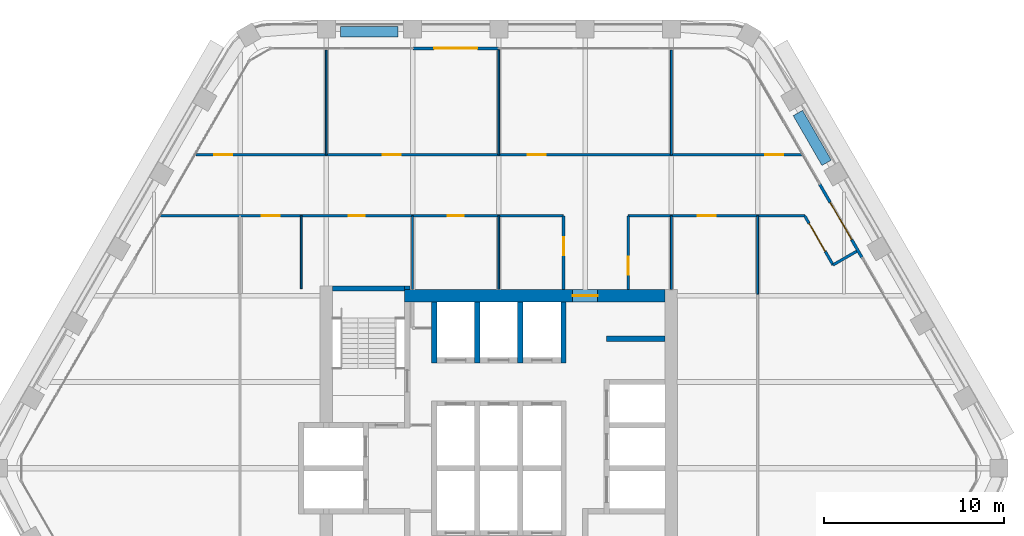
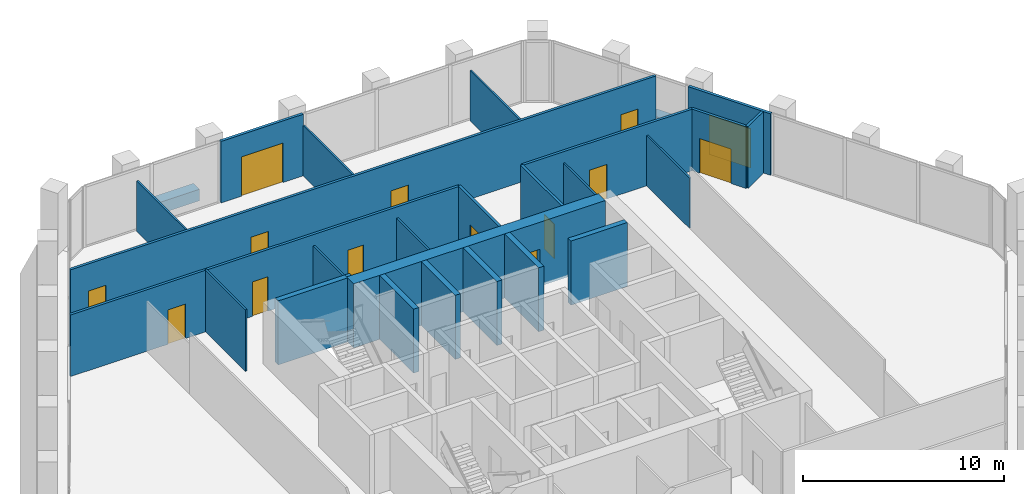
# One storey, part 11 of 15: 27 walls, 14 doors, 14 openings.
"""IFC4 building model written with IfcOpenShell, lengths in metres."""

from ifc_helpers import new_model, si_unit, direction, frame, frame_2d, origin, place, context, subcontext, project, spatial, rectangle, extrude, material, layer, layer_set, type_object, element, fill, save


model = new_model("IFC4")

# Units and contexts
model_context = context("Model", 3, precision=1e-05, world=origin(), true_north=direction((0.0, 1.0)))
body_context = subcontext(model_context, "Body", "Model", "MODEL_VIEW")
ifc_project = project(units=[si_unit("LENGTHUNIT", "METRE"), si_unit("AREAUNIT", "SQUARE_METRE"), si_unit("VOLUMEUNIT", "CUBIC_METRE"), si_unit("PLANEANGLEUNIT", "RADIAN"), si_unit("MASSUNIT", "GRAM", prefix="KILO")], contexts=[model_context])

# Site, building, storey
site_placement = place(None, origin())
site = spatial("IfcSite", under=ifc_project, at=site_placement, CompositionType="ELEMENT")
building_placement = place(site_placement, origin())
building = spatial("IfcBuilding", under=site, at=building_placement, Name="Kolab Exchange Tower", CompositionType="ELEMENT")
storey_placement = place(building_placement, frame((0.0, 0.0, 138.800048828125)))
storey = spatial("IfcBuildingStorey", under=building, at=storey_placement, Name="L27", CompositionType="ELEMENT", Elevation=138.800048828125)

# Wall, opening, door
ifc_material_1 = material(Name="Concrete C60/75", Category="concrete")
ifc_layer_1 = layer(ifc_material_1, 0.699951171875)
ifc_layer_set_1 = layer_set([ifc_layer_1], Name="Concrete C60/75")
wall_type_1 = type_object("IfcWallType", Name="CORE WALL 700 C60/75", PredefinedType="SHEAR", material=ifc_layer_set_1)
wall_1_placement = place(storey_placement, frame((-5.25, 9.60009765625, -0.150146484375), z_axis=(0.0, 0.0, 1.0), x_axis=(1.0, 0.0, 0.0)))
wall_1 = element("IfcWall", 1, at=wall_1_placement, inside=storey, type_object=wall_type_1, Name="wall/L27/core/031", PredefinedType="SHEAR", context=body_context, shape_type="SweptSolid", body=[
    extrude(rectangle(XDim=14.5, YDim=0.699951171875, at=frame_2d((7.25, 0.0))), origin(), (0.0, 0.0, 1.0), 3.900146484375),
])
opening_1_placement = place(wall_1_placement, frame((9.35009765625, 0.0, 0.14990234375)))
opening_1 = element("IfcOpeningElement", 2, at=opening_1_placement, cuts=wall_1, Name="Opening D5-010", PredefinedType="OPENING", context=body_context, shape_type="SweptSolid", body=[
    extrude(rectangle(XDim=1.39990234375, YDim=2.10009765625, at=frame_2d((0.699951171875, 1.050048828125))), frame((0.0, 0.35986328125, 0.0), z_axis=(0.0, -1.0, 0.0), x_axis=(1.0, 0.0, 0.0)), (0.0, 0.0, 1.0), 0.719970703125),
])
ifc_material_2 = material(Name="Steel S235", Category="steel")
door_type_1 = type_object("IfcDoorType", Name="CORE DOOR 1400 EI 120", OperationType="DOUBLE_DOOR_SINGLE_SWING", PredefinedType="DOOR", material=ifc_material_2)
door_1_placement = place(opening_1_placement, frame((1.39990234375, 0.0, 0.0), z_axis=(0.0, 0.0, 1.0), x_axis=(-1.0, 0.0, 0.0)))
door_1 = element("IfcDoor", 3, at=door_1_placement, inside=storey, type_object=door_type_1, Name="Core lobby door", OperationType="SINGLE_SWING_LEFT", OverallHeight=2.10009765625, OverallWidth=1.39990234375, PredefinedType="DOOR", context=body_context, shape_type="SweptSolid", body=[
    extrude(rectangle(XDim=1.39990234375, YDim=2.10009765625, at=frame_2d((0.699951171875, 1.050048828125))), frame((0.0, 0.02490234375, 0.0), z_axis=(0.0, -1.0, 0.0), x_axis=(1.0, 0.0, 0.0)), (0.0, 0.0, 1.0), 0.050048828125),
])
fill(opening_1, door_1)

ifc_material_3 = material(Name="Aluminium EN AW-6063 T6", Category="aluminium")
ifc_layer_2 = layer(ifc_material_3, 0.159912109375)
ifc_layer_set_2 = layer_set([ifc_layer_2], Name="Aluminium EN AW-6063 T6")
wall_type_2 = type_object("IfcWallType", Name="DOOR SURROUND WALL 160 ALUMINIUM FRAMED", PredefinedType="PARTITIONING", material=ifc_layer_set_2)
wall_2_placement = place(storey_placement, frame((-4.77001953125, 23.361572265625, 0.0), z_axis=(0.0, 0.0, 1.0), x_axis=(1.0, 0.0, 0.0)))
wall_2 = element("IfcWall", 4, at=wall_2_placement, inside=storey, type_object=wall_type_2, Name="Door surround wall", PredefinedType="PARTITIONING", context=body_context, shape_type="SweptSolid", body=[
    extrude(rectangle(XDim=4.739990234375, YDim=0.159912109375, at=frame_2d((2.3701171875, 0.0))), origin(), (0.0, 0.0, 1.0), 3.75),
])
opening_2_placement = place(wall_2_placement, frame((1.169921875, 0.0, 0.0)))
opening_2 = element("IfcOpeningElement", 5, at=opening_2_placement, cuts=wall_2, Name="Opening GD1-064", PredefinedType="OPENING", context=body_context, shape_type="SweptSolid", body=[
    extrude(rectangle(XDim=2.39990234375, YDim=2.39990234375, at=frame_2d((1.199951171875, 1.199951171875))), frame((0.0, 0.08984375, 0.0), z_axis=(0.0, -1.0, 0.0), x_axis=(1.0, 0.0, 0.0)), (0.0, 0.0, 1.0), 0.179931640625),
])
door_type_2 = type_object("IfcDoorType", Name="LOGGIA SLIDING GLASS DOOR 2400 X 2400", OperationType="DOUBLE_DOOR_SINGLE_SWING", PredefinedType="DOOR", material=ifc_material_3)
door_2_placement = place(opening_2_placement, origin())
door_2 = element("IfcDoor", 6, at=door_2_placement, inside=storey, type_object=door_type_2, Name="Loggia door", OperationType="DOUBLE_DOOR_SLIDING", OverallHeight=2.39990234375, OverallWidth=2.39990234375, PredefinedType="DOOR", context=body_context, shape_type="SweptSolid", body=[
    extrude(rectangle(XDim=2.39990234375, YDim=2.39990234375, at=frame_2d((1.199951171875, 1.199951171875))), frame((0.0, 0.02490234375, 0.0), z_axis=(0.0, -1.0, 0.0), x_axis=(1.0, 0.0, 0.0)), (0.0, 0.0, 1.0), 0.050048828125),
])
fill(opening_2, door_2)

wall_3_placement = place(storey_placement, frame((17.8466796875, 15.811767578125, 0.0), z_axis=(0.0, 0.0, 1.0), x_axis=(0.5000167099, -0.866015756104, 0.0)))
wall_3 = element("IfcWall", 7, at=wall_3_placement, inside=storey, type_object=wall_type_2, Name="Door surround wall", PredefinedType="PARTITIONING", context=body_context, shape_type="SweptSolid", body=[
    extrude(rectangle(XDim=4.739990234375, YDim=0.159912109375, at=frame_2d((2.3701171875, 0.0))), origin(), (0.0, 0.0, 1.0), 3.75),
])
opening_3_placement = place(wall_3_placement, frame((1.169921875, 0.0, 0.0)))
opening_3 = element("IfcOpeningElement", 8, at=opening_3_placement, cuts=wall_3, Name="Opening GD1-065", PredefinedType="OPENING", context=body_context, shape_type="SweptSolid", body=[
    extrude(rectangle(XDim=2.39990234375, YDim=2.39990234375, at=frame_2d((1.199951171875, 1.199951171875))), frame((0.0, 0.08984375, 0.0), z_axis=(0.0, -1.0, 0.0), x_axis=(1.0, 0.0, 0.0)), (0.0, 0.0, 1.0), 0.179931640625),
])
door_3_placement = place(opening_3_placement, origin())
door_3 = element("IfcDoor", 9, at=door_3_placement, inside=storey, type_object=door_type_2, Name="Loggia door", OperationType="DOUBLE_DOOR_SLIDING", OverallHeight=2.39990234375, OverallWidth=2.39990234375, PredefinedType="DOOR", context=body_context, shape_type="SweptSolid", body=[
    extrude(rectangle(XDim=2.39990234375, YDim=2.39990234375, at=frame_2d((1.199951171875, 1.199951171875))), frame((0.0, 0.02490234375, 0.0), z_axis=(0.0, -1.0, 0.0), x_axis=(1.0, 0.0, 0.0)), (0.0, 0.0, 1.0), 0.050048828125),
])
fill(opening_3, door_3)

# Walls
ifc_material_4 = material(Name="Concrete C50/60", Category="concrete")
ifc_layer_3 = layer(ifc_material_4, 0.300048828125)
ifc_layer_set_3 = layer_set([ifc_layer_3], Name="Concrete C50/60")
wall_type_3 = type_object("IfcWallType", Name="LIFT SHAFT WALL 300 C50/60", PredefinedType="STANDARD", material=ifc_layer_set_3)
wall_4_placement = place(storey_placement, frame((6.0, 7.199951171875, -0.150146484375), z_axis=(0.0, 0.0, 1.0), x_axis=(1.0, 0.0, 0.0)))
element("IfcWall", 10, at=wall_4_placement, inside=storey, type_object=wall_type_3, Name="wall/L27/core/030", PredefinedType="STANDARD", context=body_context, shape_type="SweptSolid", body=[
    extrude(rectangle(XDim=3.25, YDim=0.300048828125, at=frame_2d((1.625, 0.0))), origin(), (0.0, 0.0, 1.0), 3.900146484375),
])
for number, where, z_axis, x_axis, name in (
    (11, (-3.60009765625, 5.85009765625, -0.150146484375), (0.0, 0.0, 1.0), (0.0, 1.0, 0.0), "wall/L27/core/045"),
    (12, (-1.199951171875, 5.85009765625, -0.150146484375), (0.0, 0.0, 1.0), (0.0, 1.0, 0.0), "wall/L27/core/048"),
    (13, (1.199951171875, 5.85009765625, -0.150146484375), (0.0, 0.0, 1.0), (0.0, 1.0, 0.0), "wall/L27/core/051"),
    (14, (3.60009765625, 5.85009765625, -0.150146484375), (0.0, 0.0, 1.0), (0.0, 1.0, 0.0), "wall/L27/core/054"),
):
    element("IfcWall", number, at=place(storey_placement, frame(where, z_axis=z_axis, x_axis=x_axis)), inside=storey, type_object=wall_type_3, Name=name, PredefinedType="STANDARD", context=body_context, shape_type="SweptSolid", body=[
        extrude(rectangle(XDim=3.39990234375, YDim=0.300048828125, at=frame_2d((1.699951171875, 0.0))), origin(), (0.0, 0.0, 1.0), 3.900146484375),
    ])
ifc_material_5 = material(Name="Gypsum board", Category="gypsum")
ifc_layer_4 = layer(ifc_material_5, 0.10009765625)
ifc_layer_set_4 = layer_set([ifc_layer_4], Name="Gypsum board")
wall_type_4 = type_object("IfcWallType", Name="PARTITION 100", PredefinedType="PARTITIONING", material=ifc_layer_set_4)
wall_5_placement = place(storey_placement, frame((14.39990234375, 9.693603515625, 0.0), z_axis=(0.0, 0.0, 1.0), x_axis=(0.0, 1.0, 0.0)))
element("IfcWall", 15, at=wall_5_placement, inside=storey, type_object=wall_type_4, Name="Partition 000", PredefinedType="PARTITIONING", context=body_context, shape_type="SweptSolid", body=[
    extrude(rectangle(XDim=4.347900390625, YDim=0.10009765625, at=frame_2d((2.173828125, 0.0))), origin(), (0.0, 0.0, 1.0), 3.06591796875),
])
wall_6_placement = place(storey_placement, frame((9.60009765625, 9.949951171875, 0.0), z_axis=(0.0, 0.0, 1.0), x_axis=(0.0, 1.0, 0.0)))
element("IfcWall", 16, at=wall_6_placement, inside=storey, type_object=wall_type_4, Name="Partition 003", PredefinedType="PARTITIONING", context=body_context, shape_type="SweptSolid", body=[
    extrude(rectangle(XDim=4.091552734375, YDim=0.10009765625, at=frame_2d((2.0458984375, 0.0))), origin(), (0.0, 0.0, 1.0), 3.06591796875),
])
wall_7_placement = place(storey_placement, frame((9.60009765625, 17.44140625, 0.0), z_axis=(0.0, 0.0, 1.0), x_axis=(0.0, 1.0, 0.0)))
element("IfcWall", 17, at=wall_7_placement, inside=storey, type_object=wall_type_4, Name="Partition 004", PredefinedType="PARTITIONING", context=body_context, shape_type="SweptSolid", body=[
    extrude(rectangle(XDim=5.830078125, YDim=0.10009765625, at=frame_2d((2.9150390625, 0.0))), origin(), (0.0, 0.0, 1.0), 3.06591796875),
])
wall_8_placement = place(storey_placement, frame((0.0, 9.949951171875, 0.0), z_axis=(0.0, 0.0, 1.0), x_axis=(0.0, 1.0, 0.0)))
element("IfcWall", 18, at=wall_8_placement, inside=storey, type_object=wall_type_4, Name="Partition 012", PredefinedType="PARTITIONING", context=body_context, shape_type="SweptSolid", body=[
    extrude(rectangle(XDim=4.091552734375, YDim=0.10009765625, at=frame_2d((2.0458984375, 0.0))), origin(), (0.0, 0.0, 1.0), 3.06591796875),
])
wall_9_placement = place(storey_placement, frame((0.0, 17.44140625, 0.0), z_axis=(0.0, 0.0, 1.0), x_axis=(0.0, 1.0, 0.0)))
element("IfcWall", 19, at=wall_9_placement, inside=storey, type_object=wall_type_4, Name="Partition 013", PredefinedType="PARTITIONING", context=body_context, shape_type="SweptSolid", body=[
    extrude(rectangle(XDim=5.840087890625, YDim=0.10009765625, at=frame_2d((2.919921875, 0.0))), origin(), (0.0, 0.0, 1.0), 3.06591796875),
])
wall_10_placement = place(storey_placement, frame((-4.800048828125, 9.949951171875, 0.0), z_axis=(0.0, 0.0, 1.0), x_axis=(0.0, 1.0, 0.0)))
element("IfcWall", 20, at=wall_10_placement, inside=storey, type_object=wall_type_4, Name="Partition 016", PredefinedType="PARTITIONING", context=body_context, shape_type="SweptSolid", body=[
    extrude(rectangle(XDim=4.091552734375, YDim=0.10009765625, at=frame_2d((2.0458984375, 0.0))), origin(), (0.0, 0.0, 1.0), 3.06591796875),
])
wall_11_placement = place(storey_placement, frame((-9.60009765625, 17.44140625, 0.0), z_axis=(0.0, 0.0, 1.0), x_axis=(0.0, 1.0, 0.0)))
element("IfcWall", 21, at=wall_11_placement, inside=storey, type_object=wall_type_4, Name="Partition 020", PredefinedType="PARTITIONING", context=body_context, shape_type="SweptSolid", body=[
    extrude(rectangle(XDim=5.830078125, YDim=0.10009765625, at=frame_2d((2.9150390625, 0.0))), origin(), (0.0, 0.0, 1.0), 3.06591796875),
])
wall_12_placement = place(storey_placement, frame((-11.0, 10.0, 0.0), z_axis=(0.0, 0.0, 1.0), x_axis=(0.0, 1.0, 0.0)))
element("IfcWall", 22, at=wall_12_placement, inside=storey, type_object=wall_type_4, Name="Partition 022", PredefinedType="PARTITIONING", context=body_context, shape_type="SweptSolid", body=[
    extrude(rectangle(XDim=4.04150390625, YDim=0.10009765625, at=frame_2d((2.020751953125, 0.0))), origin(), (0.0, 0.0, 1.0), 3.75),
])

# Wall, opening, door
ifc_layer_5 = layer(ifc_material_5, 0.14990234375)
ifc_layer_set_5 = layer_set([ifc_layer_5], Name="Gypsum board")
wall_type_5 = type_object("IfcWallType", Name="PARTITION 150 FIRE-RATED", PredefinedType="PARTITIONING", material=ifc_layer_set_5)
wall_13_placement = place(storey_placement, frame((7.199951171875, 9.949951171875, 0.0), z_axis=(0.0, 0.0, 1.0), x_axis=(0.0, 1.0, 0.0)))
wall_13 = element("IfcWall", 23, at=wall_13_placement, inside=storey, type_object=wall_type_5, Name="Partition 005", PredefinedType="PARTITIONING", context=body_context, shape_type="SweptSolid", body=[
    extrude(rectangle(XDim=4.091552734375, YDim=0.14990234375, at=frame_2d((2.0458984375, 0.0))), origin(), (0.0, 0.0, 1.0), 3.75),
])
opening_4_placement = place(wall_13_placement, frame((0.8212890625, 0.0, 0.0)))
opening_4 = element("IfcOpeningElement", 24, at=opening_4_placement, cuts=wall_13, Name="Opening D1-400", PredefinedType="OPENING", context=body_context, shape_type="SweptSolid", body=[
    extrude(rectangle(XDim=1.0, YDim=2.10009765625, at=frame_2d((0.5, 1.050048828125))), frame((0.0, 0.0849609375, 0.0), z_axis=(0.0, -1.0, 0.0), x_axis=(1.0, 0.0, 0.0)), (0.0, 0.0, 1.0), 0.169921875),
])
door_type_3 = type_object("IfcDoorType", Name="FLUSH DOOR 1000 FD60", OperationType="SINGLE_SWING_LEFT", PredefinedType="DOOR", material=ifc_material_2)
door_4_placement = place(opening_4_placement, frame((1.0, 0.0, 0.0), z_axis=(0.0, 0.0, 1.0), x_axis=(-1.0, 0.0, 0.0)))
door_4 = element("IfcDoor", 25, at=door_4_placement, inside=storey, type_object=door_type_3, Name="Door L27-031", OperationType="SINGLE_SWING_LEFT", OverallHeight=2.10009765625, OverallWidth=1.0, PredefinedType="DOOR", context=body_context, shape_type="SweptSolid", body=[
    extrude(rectangle(XDim=1.0, YDim=2.10009765625, at=frame_2d((0.5, 1.050048828125))), frame((0.0, 0.02490234375, 0.0), z_axis=(0.0, -1.0, 0.0), x_axis=(1.0, 0.0, 0.0)), (0.0, 0.0, 1.0), 0.050048828125),
])
fill(opening_4, door_4)

wall_14_placement = place(storey_placement, frame((3.60009765625, 9.949951171875, 0.0), z_axis=(0.0, 0.0, 1.0), x_axis=(0.0, 1.0, 0.0)))
wall_14 = element("IfcWall", 26, at=wall_14_placement, inside=storey, type_object=wall_type_5, Name="Partition 008", PredefinedType="PARTITIONING", context=body_context, shape_type="SweptSolid", body=[
    extrude(rectangle(XDim=4.091552734375, YDim=0.14990234375, at=frame_2d((2.0458984375, 0.0))), origin(), (0.0, 0.0, 1.0), 3.75),
])
opening_5_placement = place(wall_14_placement, frame((1.89208984375, 0.0, 0.0)))
opening_5 = element("IfcOpeningElement", 27, at=opening_5_placement, cuts=wall_14, Name="Opening D1-401", PredefinedType="OPENING", context=body_context, shape_type="SweptSolid", body=[
    extrude(rectangle(XDim=1.0, YDim=2.10009765625, at=frame_2d((0.5, 1.050048828125))), frame((0.0, 0.0849609375, 0.0), z_axis=(0.0, -1.0, 0.0), x_axis=(1.0, 0.0, 0.0)), (0.0, 0.0, 1.0), 0.169921875),
])
door_5_placement = place(opening_5_placement, origin())
door_5 = element("IfcDoor", 28, at=door_5_placement, inside=storey, type_object=door_type_3, Name="Door L27-034", OperationType="SINGLE_SWING_RIGHT", OverallHeight=2.10009765625, OverallWidth=1.0, PredefinedType="DOOR", context=body_context, shape_type="SweptSolid", body=[
    extrude(rectangle(XDim=1.0, YDim=2.10009765625, at=frame_2d((0.5, 1.050048828125))), frame((0.0, 0.02490234375, 0.0), z_axis=(0.0, -1.0, 0.0), x_axis=(1.0, 0.0, 0.0)), (0.0, 0.0, 1.0), 0.050048828125),
])
fill(opening_5, door_5)

wall_15_placement = place(storey_placement, frame((17.021240234375, 14.04150390625, 0.0), z_axis=(0.0, 0.0, 1.0), x_axis=(0.499957296199, -0.866050057432, 0.0)))
wall_15 = element("IfcWall", 29, at=wall_15_placement, inside=storey, type_object=wall_type_5, Name="Partition 025", PredefinedType="PARTITIONING", context=body_context, shape_type="SweptSolid", body=[
    extrude(rectangle(XDim=3.149658203125, YDim=0.14990234375, at=frame_2d((1.57470703125, 0.0))), origin(), (0.0, 0.0, 1.0), 3.75),
])
opening_6_placement = place(wall_15_placement, frame((0.474853515625, 0.0, 0.0)))
opening_6 = element("IfcOpeningElement", 30, at=opening_6_placement, cuts=wall_15, Name="Opening D2-039", PredefinedType="OPENING", context=body_context, shape_type="SweptSolid", body=[
    extrude(rectangle(XDim=1.800048828125, YDim=2.10009765625, at=frame_2d((0.89990234375, 1.050048828125))), frame((0.0, 0.0849609375, 0.0), z_axis=(0.0, -1.0, 0.0), x_axis=(1.0, 0.0, 0.0)), (0.0, 0.0, 1.0), 0.169921875),
])
door_type_4 = type_object("IfcDoorType", Name="DOUBLE DOOR 1800 FD60", OperationType="DOUBLE_DOOR_SINGLE_SWING", PredefinedType="DOOR", material=ifc_material_2)
door_6_placement = place(opening_6_placement, frame((1.800048828125, 0.0, 0.0), z_axis=(0.0, 0.0, 1.0), x_axis=(-1.0, 0.0, 0.0)))
door_6 = element("IfcDoor", 31, at=door_6_placement, inside=storey, type_object=door_type_4, Name="Door L27-050", OperationType="SINGLE_SWING_LEFT", OverallHeight=2.10009765625, OverallWidth=1.800048828125, PredefinedType="DOOR", context=body_context, shape_type="SweptSolid", body=[
    extrude(rectangle(XDim=1.800048828125, YDim=2.10009765625, at=frame_2d((0.89990234375, 1.050048828125))), frame((0.0, 0.02490234375, 0.0), z_axis=(0.0, -1.0, 0.0), x_axis=(1.0, 0.0, 0.0)), (0.0, 0.0, 1.0), 0.050048828125),
])
fill(opening_6, door_6)

# Wall
wall_16_placement = place(storey_placement, frame((18.595947265625, 11.313720703125, 0.0), z_axis=(0.0, 0.0, 1.0), x_axis=(0.866030456496, 0.499991248344, 0.0)))
element("IfcWall", 32, at=wall_16_placement, inside=storey, type_object=wall_type_5, Name="Partition 027", PredefinedType="PARTITIONING", context=body_context, shape_type="SweptSolid", body=[
    extrude(rectangle(XDim=1.52001953125, YDim=0.14990234375, at=frame_2d((0.760009765625, 0.0))), origin(), (0.0, 0.0, 1.0), 3.75),
])

# Wall, openings, doors
wall_17_placement = place(storey_placement, frame((-18.822509765625, 14.04150390625, 0.0), z_axis=(0.0, 0.0, 1.0), x_axis=(1.0, 0.0, 0.0)))
wall_17 = element("IfcWall", 33, at=wall_17_placement, inside=storey, type_object=wall_type_5, Name="Partition 033", PredefinedType="PARTITIONING", context=body_context, shape_type="SweptSolid", body=[
    extrude(rectangle(XDim=22.422607421875, YDim=0.14990234375, at=frame_2d((11.21142578125, 0.0))), origin(), (0.0, 0.0, 1.0), 3.75),
])
opening_7_placement = place(wall_17_placement, frame((10.472412109375, 0.0, 0.0)))
opening_7 = element("IfcOpeningElement", 34, at=opening_7_placement, cuts=wall_17, Name="Opening D3-038", PredefinedType="OPENING", context=body_context, shape_type="SweptSolid", body=[
    extrude(rectangle(XDim=0.89990234375, YDim=2.10009765625, at=frame_2d((0.449951171875, 1.050048828125))), frame((0.0, 0.0849609375, 0.0), z_axis=(0.0, -1.0, 0.0), x_axis=(1.0, 0.0, 0.0)), (0.0, 0.0, 1.0), 0.169921875),
])
opening_8_placement = place(wall_17_placement, frame((15.972412109375, 0.0, 0.0)))
opening_8 = element("IfcOpeningElement", 35, at=opening_8_placement, cuts=wall_17, Name="Opening D3-039", PredefinedType="OPENING", context=body_context, shape_type="SweptSolid", body=[
    extrude(rectangle(XDim=0.89990234375, YDim=2.10009765625, at=frame_2d((0.449951171875, 1.050048828125))), frame((0.0, 0.0849609375, 0.0), z_axis=(0.0, -1.0, 0.0), x_axis=(1.0, 0.0, 0.0)), (0.0, 0.0, 1.0), 0.169921875),
])
opening_9_placement = place(wall_17_placement, frame((5.62255859375, 0.0, 0.0)))
opening_9 = element("IfcOpeningElement", 36, at=opening_9_placement, cuts=wall_17, Name="Opening D1-417", PredefinedType="OPENING", context=body_context, shape_type="SweptSolid", body=[
    extrude(rectangle(XDim=1.0, YDim=2.10009765625, at=frame_2d((0.5, 1.050048828125))), frame((0.0, 0.0849609375, 0.0), z_axis=(0.0, -1.0, 0.0), x_axis=(1.0, 0.0, 0.0)), (0.0, 0.0, 1.0), 0.169921875),
])
door_7_placement = place(opening_9_placement, frame((1.0, 0.0, 0.0), z_axis=(0.0, 0.0, 1.0), x_axis=(-1.0, 0.0, 0.0)))
door_7 = element("IfcDoor", 37, at=door_7_placement, inside=storey, type_object=door_type_3, Name="Door L27-052", OperationType="SINGLE_SWING_LEFT", OverallHeight=2.10009765625, OverallWidth=1.0, PredefinedType="DOOR", context=body_context, shape_type="SweptSolid", body=[
    extrude(rectangle(XDim=1.0, YDim=2.10009765625, at=frame_2d((0.5, 1.050048828125))), frame((0.0, 0.02490234375, 0.0), z_axis=(0.0, -1.0, 0.0), x_axis=(1.0, 0.0, 0.0)), (0.0, 0.0, 1.0), 0.050048828125),
])
fill(opening_9, door_7)
door_type_5 = type_object("IfcDoorType", Name="FLUSH DOOR 900 FD60", OperationType="SINGLE_SWING_LEFT", PredefinedType="DOOR", material=ifc_material_2)
door_8_placement = place(opening_7_placement, frame((0.89990234375, 0.0, 0.0), z_axis=(0.0, 0.0, 1.0), x_axis=(-1.0, 0.0, 0.0)))
door_8 = element("IfcDoor", 38, at=door_8_placement, inside=storey, type_object=door_type_5, Name="Door L27-032", OperationType="SINGLE_SWING_LEFT", OverallHeight=2.10009765625, OverallWidth=0.89990234375, PredefinedType="DOOR", context=body_context, shape_type="SweptSolid", body=[
    extrude(rectangle(XDim=0.89990234375, YDim=2.10009765625, at=frame_2d((0.449951171875, 1.050048828125))), frame((0.0, 0.02490234375, 0.0), z_axis=(0.0, -1.0, 0.0), x_axis=(1.0, 0.0, 0.0)), (0.0, 0.0, 1.0), 0.050048828125),
])
fill(opening_7, door_8)
door_9_placement = place(opening_8_placement, frame((0.89990234375, 0.0, 0.0), z_axis=(0.0, 0.0, 1.0), x_axis=(-1.0, 0.0, 0.0)))
door_9 = element("IfcDoor", 39, at=door_9_placement, inside=storey, type_object=door_type_5, Name="Door L27-033", OperationType="SINGLE_SWING_LEFT", OverallHeight=2.10009765625, OverallWidth=0.89990234375, PredefinedType="DOOR", context=body_context, shape_type="SweptSolid", body=[
    extrude(rectangle(XDim=0.89990234375, YDim=2.10009765625, at=frame_2d((0.449951171875, 1.050048828125))), frame((0.0, 0.02490234375, 0.0), z_axis=(0.0, -1.0, 0.0), x_axis=(1.0, 0.0, 0.0)), (0.0, 0.0, 1.0), 0.050048828125),
])
fill(opening_8, door_9)

# Wall, opening, door
wall_18_placement = place(storey_placement, frame((7.199951171875, 14.04150390625, 0.0), z_axis=(0.0, 0.0, 1.0), x_axis=(1.0, 0.0, 0.0)))
wall_18 = element("IfcWall", 40, at=wall_18_placement, inside=storey, type_object=wall_type_5, Name="Partition 034", PredefinedType="PARTITIONING", context=body_context, shape_type="SweptSolid", body=[
    extrude(rectangle(XDim=9.8212890625, YDim=0.14990234375, at=frame_2d((4.91064453125, 0.0))), origin(), (0.0, 0.0, 1.0), 3.75),
])
opening_10_placement = place(wall_18_placement, frame((3.864990234375, 0.0, 0.0)))
opening_10 = element("IfcOpeningElement", 41, at=opening_10_placement, cuts=wall_18, Name="Opening D1-416", PredefinedType="OPENING", context=body_context, shape_type="SweptSolid", body=[
    extrude(rectangle(XDim=1.0, YDim=2.10009765625, at=frame_2d((0.5, 1.050048828125))), frame((0.0, 0.0849609375, 0.0), z_axis=(0.0, -1.0, 0.0), x_axis=(1.0, 0.0, 0.0)), (0.0, 0.0, 1.0), 0.169921875),
])
door_10_placement = place(opening_10_placement, frame((1.0, 0.0, 0.0), z_axis=(0.0, 0.0, 1.0), x_axis=(-1.0, 0.0, 0.0)))
door_10 = element("IfcDoor", 42, at=door_10_placement, inside=storey, type_object=door_type_3, Name="Door L27-049", OperationType="SINGLE_SWING_LEFT", OverallHeight=2.10009765625, OverallWidth=1.0, PredefinedType="DOOR", context=body_context, shape_type="SweptSolid", body=[
    extrude(rectangle(XDim=1.0, YDim=2.10009765625, at=frame_2d((0.5, 1.050048828125))), frame((0.0, 0.02490234375, 0.0), z_axis=(0.0, -1.0, 0.0), x_axis=(1.0, 0.0, 0.0)), (0.0, 0.0, 1.0), 0.050048828125),
])
fill(opening_10, door_10)

# Wall, openings, doors
wall_19_placement = place(storey_placement, frame((-16.859619140625, 17.44140625, 0.0), z_axis=(0.0, 0.0, 1.0), x_axis=(1.0, 0.0, 0.0)))
wall_19 = element("IfcWall", 43, at=wall_19_placement, inside=storey, type_object=wall_type_5, Name="Partition 035", PredefinedType="PARTITIONING", context=body_context, shape_type="SweptSolid", body=[
    extrude(rectangle(XDim=33.71923828125, YDim=0.14990234375, at=frame_2d((16.859619140625, 0.0))), origin(), (0.0, 0.0, 1.0), 3.75),
])
opening_11_placement = place(wall_19_placement, frame((1.031005859375, 0.0, 0.0)))
opening_11 = element("IfcOpeningElement", 44, at=opening_11_placement, cuts=wall_19, Name="Opening D1-406", PredefinedType="OPENING", context=body_context, shape_type="SweptSolid", body=[
    extrude(rectangle(XDim=1.0, YDim=2.10009765625, at=frame_2d((0.5, 1.050048828125))), frame((0.0, 0.0849609375, 0.0), z_axis=(0.0, -1.0, 0.0), x_axis=(1.0, 0.0, 0.0)), (0.0, 0.0, 1.0), 0.169921875),
])
opening_12_placement = place(wall_19_placement, frame((10.404541015625, 0.0, 0.0)))
opening_12 = element("IfcOpeningElement", 45, at=opening_12_placement, cuts=wall_19, Name="Opening D1-407", PredefinedType="OPENING", context=body_context, shape_type="SweptSolid", body=[
    extrude(rectangle(XDim=1.0, YDim=2.10009765625, at=frame_2d((0.5, 1.050048828125))), frame((0.0, 0.0849609375, 0.0), z_axis=(0.0, -1.0, 0.0), x_axis=(1.0, 0.0, 0.0)), (0.0, 0.0, 1.0), 0.169921875),
])
opening_13_placement = place(wall_19_placement, frame((18.464599609375, 0.0, 0.0)))
opening_13 = element("IfcOpeningElement", 46, at=opening_13_placement, cuts=wall_19, Name="Opening D1-408", PredefinedType="OPENING", context=body_context, shape_type="SweptSolid", body=[
    extrude(rectangle(XDim=1.0, YDim=2.10009765625, at=frame_2d((0.5, 1.050048828125))), frame((0.0, 0.0849609375, 0.0), z_axis=(0.0, -1.0, 0.0), x_axis=(1.0, 0.0, 0.0)), (0.0, 0.0, 1.0), 0.169921875),
])
opening_14_placement = place(wall_19_placement, frame((31.68798828125, 0.0, 0.0)))
opening_14 = element("IfcOpeningElement", 47, at=opening_14_placement, cuts=wall_19, Name="Opening D1-409", PredefinedType="OPENING", context=body_context, shape_type="SweptSolid", body=[
    extrude(rectangle(XDim=1.0, YDim=2.10009765625, at=frame_2d((0.5, 1.050048828125))), frame((0.0, 0.0849609375, 0.0), z_axis=(0.0, -1.0, 0.0), x_axis=(1.0, 0.0, 0.0)), (0.0, 0.0, 1.0), 0.169921875),
])
door_11_placement = place(opening_11_placement, origin())
door_11 = element("IfcDoor", 48, at=door_11_placement, inside=storey, type_object=door_type_3, Name="Door L27-039", OperationType="SINGLE_SWING_LEFT", OverallHeight=2.10009765625, OverallWidth=1.0, PredefinedType="DOOR", context=body_context, shape_type="SweptSolid", body=[
    extrude(rectangle(XDim=1.0, YDim=2.10009765625, at=frame_2d((0.5, 1.050048828125))), frame((0.0, 0.02490234375, 0.0), z_axis=(0.0, -1.0, 0.0), x_axis=(1.0, 0.0, 0.0)), (0.0, 0.0, 1.0), 0.050048828125),
])
fill(opening_11, door_11)
door_12_placement = place(opening_12_placement, origin())
door_12 = element("IfcDoor", 49, at=door_12_placement, inside=storey, type_object=door_type_3, Name="Door L27-040", OperationType="SINGLE_SWING_LEFT", OverallHeight=2.10009765625, OverallWidth=1.0, PredefinedType="DOOR", context=body_context, shape_type="SweptSolid", body=[
    extrude(rectangle(XDim=1.0, YDim=2.10009765625, at=frame_2d((0.5, 1.050048828125))), frame((0.0, 0.02490234375, 0.0), z_axis=(0.0, -1.0, 0.0), x_axis=(1.0, 0.0, 0.0)), (0.0, 0.0, 1.0), 0.050048828125),
])
fill(opening_12, door_12)
door_13_placement = place(opening_13_placement, origin())
door_13 = element("IfcDoor", 50, at=door_13_placement, inside=storey, type_object=door_type_3, Name="Door L27-041", OperationType="SINGLE_SWING_LEFT", OverallHeight=2.10009765625, OverallWidth=1.0, PredefinedType="DOOR", context=body_context, shape_type="SweptSolid", body=[
    extrude(rectangle(XDim=1.0, YDim=2.10009765625, at=frame_2d((0.5, 1.050048828125))), frame((0.0, 0.02490234375, 0.0), z_axis=(0.0, -1.0, 0.0), x_axis=(1.0, 0.0, 0.0)), (0.0, 0.0, 1.0), 0.050048828125),
])
fill(opening_13, door_13)
door_14_placement = place(opening_14_placement, origin())
door_14 = element("IfcDoor", 51, at=door_14_placement, inside=storey, type_object=door_type_3, Name="Door L27-042", OperationType="SINGLE_SWING_RIGHT", OverallHeight=2.10009765625, OverallWidth=1.0, PredefinedType="DOOR", context=body_context, shape_type="SweptSolid", body=[
    extrude(rectangle(XDim=1.0, YDim=2.10009765625, at=frame_2d((0.5, 1.050048828125))), frame((0.0, 0.02490234375, 0.0), z_axis=(0.0, -1.0, 0.0), x_axis=(1.0, 0.0, 0.0)), (0.0, 0.0, 1.0), 0.050048828125),
])
fill(opening_14, door_14)

# Walls
ifc_material_6 = material(Name="Granite facing", Category="masonry")
ifc_layer_6 = layer(ifc_material_6, 0.0400390625)
ifc_material_7 = material(Name="Concrete C40/50 precast", Category="concrete")
ifc_layer_7 = layer(ifc_material_7, 0.56005859375)
ifc_layer_set_6 = layer_set([ifc_layer_6, ifc_layer_7], Name="Concrete C40/50 precast")
wall_type_6 = type_object("IfcWallType", Name="PLANTER BOX 600 X 700 SOIL DEPTH 550", PredefinedType="USERDEFINED", material=ifc_layer_set_6)
for number, where, z_axis, x_axis, name in (
    (52, (-8.800048828125, 24.29150390625, 0.0), (0.0, 0.0, 1.0), (1.0, 0.0, 0.0), "Planter"),
    (53, (16.636962890625, 19.766845703125, 0.0), (0.0, 0.0, 1.0), (0.500028443584, -0.866008981251, 0.0), "Planter"),
):
    element("IfcWall", number, at=place(storey_placement, frame(where, z_axis=z_axis, x_axis=x_axis)), inside=storey, type_object=wall_type_6, Name=name, ObjectType="PLANTER", PredefinedType="USERDEFINED", context=body_context, shape_type="SweptSolid", body=[
        extrude(rectangle(XDim=3.199951171875, YDim=0.60009765625, at=frame_2d((1.60009765625, 0.0))), origin(), (0.0, 0.0, 1.0), 0.699951171875),
    ])
ifc_layer_8 = layer(ifc_material_4, 0.300048828125)
ifc_layer_set_7 = layer_set([ifc_layer_8], Name="Concrete C50/60")
wall_type_7 = type_object("IfcWallType", Name="STAIR ENCLOSURE WALL 300 C50/60", PredefinedType="STANDARD", material=ifc_layer_set_7)
wall_20_placement = place(storey_placement, frame((-9.25, 10.0, -0.150146484375), z_axis=(0.0, 0.0, 1.0), x_axis=(1.0, 0.0, 0.0)))
element("IfcWall", 54, at=wall_20_placement, inside=storey, type_object=wall_type_7, Name="wall/L27/core/032", PredefinedType="STANDARD", context=body_context, shape_type="SweptSolid", body=[
    extrude(rectangle(XDim=4.0, YDim=0.300048828125, at=frame_2d((2.0, 0.0))), origin(), (0.0, 0.0, 1.0), 3.900146484375),
])
wall_21_placement = place(storey_placement, frame((-5.10009765625, 9.949951171875, -0.150146484375), z_axis=(0.0, 0.0, 1.0), x_axis=(0.0, 1.0, 0.0)))
element("IfcWall", 55, at=wall_21_placement, inside=storey, type_object=wall_type_7, Name="wall/L27/core/042", PredefinedType="STANDARD", context=body_context, shape_type="SweptSolid", body=[
    extrude(rectangle(XDim=0.199951171875, YDim=0.300048828125, at=frame_2d((0.10009765625, 0.0))), origin(), (0.0, 0.0, 1.0), 3.900146484375),
])

save(model, "model.ifc")
